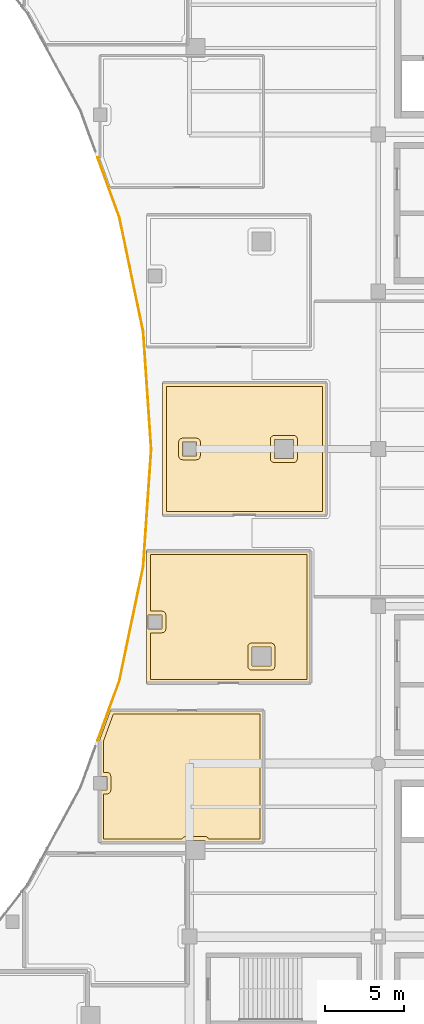
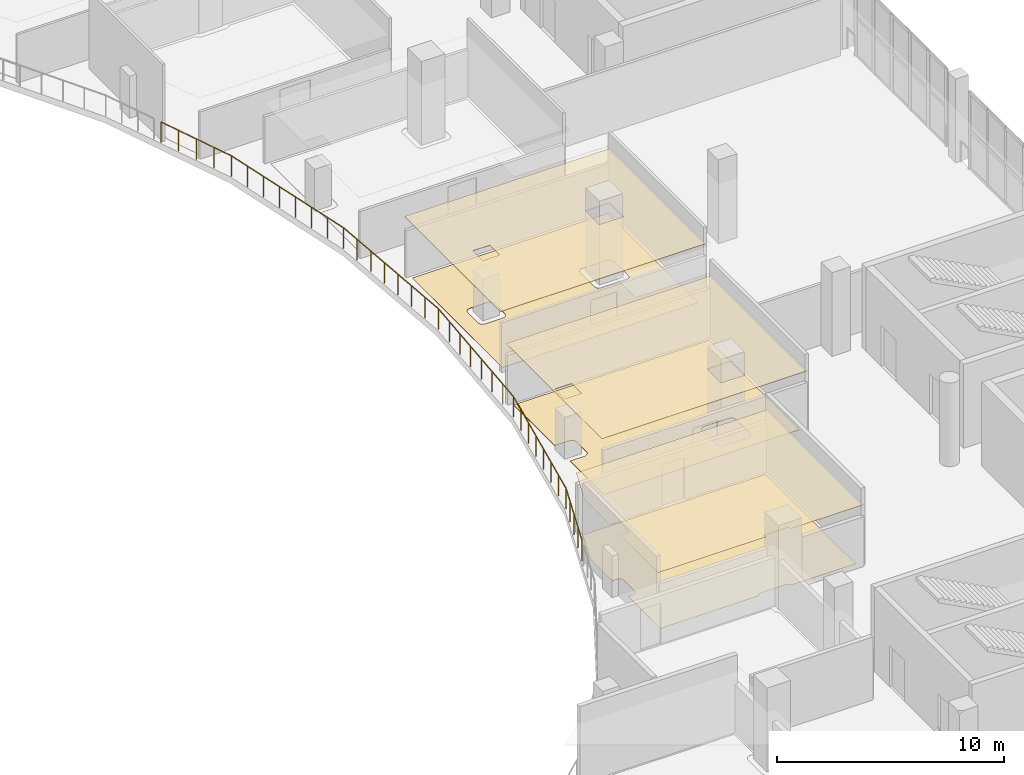
# One storey, part 87 of 90: 6 coverings, 1 railing.
"""IFC4 building model written with IfcOpenShell, lengths in metres."""

from ifc_helpers import new_model, si_unit, direction, frame, origin, origin_2d, place, context, subcontext, project, spatial, polyline, circle, outline, extrude, material, layer, layer_set, type_object, element, save


model = new_model("IFC4")

# Units and contexts
model_context = context("Model", 3, precision=1e-05, world=origin(), true_north=direction((0.0, 1.0)))
body_context = subcontext(model_context, "Body", "Model", "MODEL_VIEW")
ifc_project = project(units=[si_unit("LENGTHUNIT", "METRE"), si_unit("AREAUNIT", "SQUARE_METRE"), si_unit("VOLUMEUNIT", "CUBIC_METRE"), si_unit("PLANEANGLEUNIT", "RADIAN"), si_unit("MASSUNIT", "GRAM", prefix="KILO")], contexts=[model_context])

# Site, building, storey
site_placement = place(None, origin())
site = spatial("IfcSite", under=ifc_project, at=site_placement, CompositionType="ELEMENT")
building_placement = place(site_placement, origin())
building = spatial("IfcBuilding", under=site, at=building_placement, Name="Brinegate Civic Arena", CompositionType="ELEMENT")
storey_placement = place(building_placement, frame((0.0, 0.0, 14.699951171875)))
storey = spatial("IfcBuildingStorey", under=building, at=storey_placement, Name="L03", CompositionType="ELEMENT", Elevation=14.699951171875)

# Coverings
ifc_material_1 = material(Name="Acoustic perforated aluminium ceiling", Category="aluminium")
ifc_layer_1 = layer(ifc_material_1, 0.02490234375, Name="Acoustic perforated aluminium ceiling")
ifc_layer_set_1 = layer_set([ifc_layer_1], Name="Acoustic perforated aluminium ceiling")
covering_type_1 = type_object("IfcCoveringType", Name="CEILING-ACOUSTIC-25", PredefinedType="CEILING", material=ifc_layer_set_1)
covering_1_placement = place(storey_placement, frame((0.0, 0.0, 3.235107421875)))
element("IfcCovering", 1, at=covering_1_placement, inside=storey, type_object=covering_type_1, Name="Acoustic Ceiling L03-104", PredefinedType="CEILING", context=body_context, shape_type="SweptSolid", body=[
    extrude(outline(polyline([(151.69189453125, 55.534912109375), (151.694091796875, 55.533935546875), (151.696044921875, 55.532958984375), (151.697021484375, 55.532958984375), (151.698974609375, 55.531982421875), (151.700927734375, 55.530029296875), (151.701904296875, 55.529052734375), (151.702880859375, 55.528076171875), (151.705078125, 55.52587890625), (151.7060546875, 55.52392578125), (151.7060546875, 55.52294921875), (151.70703125, 55.52099609375), (151.7080078125, 55.51904296875), (151.7080078125, 55.51708984375), (151.7080078125, 55.514892578125), (151.7080078125, 47.114990234375), (151.7080078125, 47.113037109375), (151.7080078125, 47.111083984375), (151.70703125, 47.10888671875), (151.7060546875, 47.10693359375), (151.7060546875, 47.10595703125), (151.705078125, 47.10400390625), (151.702880859375, 47.10205078125), (151.701904296875, 47.10107421875), (151.700927734375, 47.10009765625), (151.698974609375, 47.097900390625), (151.697021484375, 47.096923828125), (151.696044921875, 47.096923828125), (151.694091796875, 47.095947265625), (151.69189453125, 47.094970703125), (151.68994140625, 47.094970703125), (151.68798828125, 47.094970703125), (141.2880859375, 47.094970703125), (141.285888671875, 47.094970703125), (141.283935546875, 47.094970703125), (141.281982421875, 47.095947265625), (141.280029296875, 47.096923828125), (141.279052734375, 47.096923828125), (141.277099609375, 47.097900390625), (141.27490234375, 47.10009765625), (141.27392578125, 47.10107421875), (141.27294921875, 47.10205078125), (141.27099609375, 47.10400390625), (141.27001953125, 47.10595703125), (141.27001953125, 47.10693359375), (141.26904296875, 47.10888671875), (141.26806640625, 47.111083984375), (141.26806640625, 47.113037109375), (141.26806640625, 47.114990234375), (141.26806640625, 55.514892578125), (141.26806640625, 55.51708984375), (141.26806640625, 55.51904296875), (141.26904296875, 55.52099609375), (141.27001953125, 55.52294921875), (141.27001953125, 55.52392578125), (141.27099609375, 55.52587890625), (141.27294921875, 55.528076171875), (141.27392578125, 55.529052734375), (141.27490234375, 55.530029296875), (141.277099609375, 55.531982421875), (141.279052734375, 55.532958984375), (141.280029296875, 55.532958984375), (141.281982421875, 55.533935546875), (141.283935546875, 55.534912109375), (141.285888671875, 55.534912109375), (141.2880859375, 55.534912109375), (151.68798828125, 55.534912109375), (151.68994140625, 55.534912109375), (151.69189453125, 55.534912109375)]), holes=[polyline([(141.3720703125, 51.43505859375), (141.3720703125, 50.56494140625), (142.241943359375, 50.56494140625), (142.241943359375, 51.43505859375), (141.3720703125, 51.43505859375)]), polyline([(147.958984375, 49.409912109375), (147.958984375, 48.18994140625), (149.178955078125, 48.18994140625), (149.178955078125, 49.409912109375), (147.958984375, 49.409912109375)])]), origin(), (0.0, 0.0, 1.0), 0.02490234375),
])
ifc_layer_2 = layer(ifc_material_1, 0.034912109375, Name="Acoustic perforated aluminium ceiling")
ifc_layer_set_2 = layer_set([ifc_layer_2], Name="Acoustic perforated aluminium ceiling")
covering_type_2 = type_object("IfcCoveringType", Name="CEILING-ACOUSTIC-35", PredefinedType="CEILING", material=ifc_layer_set_2)
covering_2_placement = place(storey_placement, frame((0.0, 0.0, 3.22509765625)))
element("IfcCovering", 2, at=covering_2_placement, inside=storey, type_object=covering_type_2, Name="Acoustic Ceiling L03-105", PredefinedType="CEILING", context=body_context, shape_type="SweptSolid", body=[
    extrude(outline(polyline([(152.7041015625, 66.219970703125), (152.7060546875, 66.218994140625), (152.7080078125, 66.218017578125), (152.708984375, 66.218017578125), (152.7109375, 66.217041015625), (152.712890625, 66.215087890625), (152.714111328125, 66.214111328125), (152.715087890625, 66.212890625), (152.717041015625, 66.2109375), (152.718017578125, 66.208984375), (152.718017578125, 66.2080078125), (152.718994140625, 66.2060546875), (152.719970703125, 66.2041015625), (152.719970703125, 66.201904296875), (152.719970703125, 66.199951171875), (152.719970703125, 57.800048828125), (152.719970703125, 57.798095703125), (152.719970703125, 57.7958984375), (152.718994140625, 57.7939453125), (152.718017578125, 57.7919921875), (152.718017578125, 57.791015625), (152.717041015625, 57.7890625), (152.715087890625, 57.787109375), (152.714111328125, 57.785888671875), (152.712890625, 57.784912109375), (152.7109375, 57.782958984375), (152.708984375, 57.781982421875), (152.7080078125, 57.781982421875), (152.7060546875, 57.781005859375), (152.7041015625, 57.780029296875), (152.701904296875, 57.780029296875), (152.699951171875, 57.780029296875), (142.300048828125, 57.780029296875), (142.298095703125, 57.780029296875), (142.2958984375, 57.780029296875), (142.2939453125, 57.781005859375), (142.2919921875, 57.781982421875), (142.291015625, 57.781982421875), (142.2890625, 57.782958984375), (142.287109375, 57.784912109375), (142.285888671875, 57.785888671875), (142.284912109375, 57.787109375), (142.282958984375, 57.7890625), (142.281982421875, 57.791015625), (142.281982421875, 57.7919921875), (142.281005859375, 57.7939453125), (142.280029296875, 57.7958984375), (142.280029296875, 57.798095703125), (142.280029296875, 57.800048828125), (142.280029296875, 66.199951171875), (142.280029296875, 66.201904296875), (142.280029296875, 66.2041015625), (142.281005859375, 66.2060546875), (142.281982421875, 66.2080078125), (142.281982421875, 66.208984375), (142.282958984375, 66.2109375), (142.284912109375, 66.212890625), (142.285888671875, 66.214111328125), (142.287109375, 66.215087890625), (142.2890625, 66.217041015625), (142.291015625, 66.218017578125), (142.2919921875, 66.218017578125), (142.2939453125, 66.218994140625), (142.2958984375, 66.219970703125), (142.298095703125, 66.219970703125), (142.300048828125, 66.219970703125), (152.699951171875, 66.219970703125), (152.701904296875, 66.219970703125), (152.7041015625, 66.219970703125)]), holes=[polyline([(143.56494140625, 62.43505859375), (143.56494140625, 61.56494140625), (144.43505859375, 61.56494140625), (144.43505859375, 62.43505859375), (143.56494140625, 62.43505859375)]), polyline([(149.389892578125, 62.610107421875), (149.389892578125, 61.389892578125), (150.610107421875, 61.389892578125), (150.610107421875, 62.610107421875), (149.389892578125, 62.610107421875)])]), origin(), (0.0, 0.0, 1.0), 0.034912109375),
])
ifc_layer_3 = layer(ifc_material_1, 0.01806640625, Name="Acoustic perforated aluminium ceiling")
ifc_layer_set_3 = layer_set([ifc_layer_3], Name="Acoustic perforated aluminium ceiling")
covering_type_3 = type_object("IfcCoveringType", Name="CEILING-MOISTURE-18", PredefinedType="CEILING", material=ifc_layer_set_3)
covering_3_placement = place(storey_placement, frame((0.0, 0.0, 3.241943359375)))
element("IfcCovering", 3, at=covering_3_placement, inside=storey, type_object=covering_type_3, Name="Acoustic Ceiling L03-103", PredefinedType="CEILING", context=body_context, shape_type="SweptSolid", body=[
    extrude(outline(polyline([(148.721923828125, 36.972900390625), (148.720947265625, 36.970947265625), (148.719970703125, 36.968994140625), (148.719970703125, 36.968017578125), (148.718994140625, 36.966064453125), (148.717041015625, 36.964111328125), (148.716064453125, 36.962890625), (148.715087890625, 36.9619140625), (148.712890625, 36.9599609375), (148.7109375, 36.958984375), (148.7099609375, 36.958984375), (148.7080078125, 36.9580078125), (148.7060546875, 36.95703125), (148.7041015625, 36.95703125), (148.701904296875, 36.95703125), (144.98291015625, 36.95703125), (144.98291015625, 37.110107421875), (143.762939453125, 37.110107421875), (143.762939453125, 36.95703125), (138.302001953125, 36.95703125), (138.300048828125, 36.95703125), (138.298095703125, 36.95703125), (138.2958984375, 36.9580078125), (138.2939453125, 36.958984375), (138.29296875, 36.958984375), (138.291015625, 36.9599609375), (138.2890625, 36.9619140625), (138.2880859375, 36.962890625), (138.287109375, 36.964111328125), (138.284912109375, 36.966064453125), (138.283935546875, 36.968017578125), (138.283935546875, 36.968994140625), (138.282958984375, 36.970947265625), (138.281982421875, 36.972900390625), (138.281982421875, 36.97509765625), (138.281982421875, 36.97705078125), (138.281982421875, 40.31494140625), (138.74609375, 40.31494140625), (138.74609375, 41.18505859375), (138.281982421875, 41.18505859375), (138.281982421875, 43.465087890625), (138.281982421875, 43.467041015625), (138.281982421875, 43.468017578125), (138.282958984375, 43.469970703125), (138.282958984375, 43.471923828125), (138.97802734375, 45.384033203125), (138.97900390625, 45.385986328125), (138.97998046875, 45.386962890625), (138.98095703125, 45.388916015625), (138.98193359375, 45.39111328125), (138.98388671875, 45.39208984375), (138.986083984375, 45.39306640625), (138.987060546875, 45.39404296875), (138.989013671875, 45.39501953125), (138.990966796875, 45.39599609375), (138.992919921875, 45.39697265625), (138.9951171875, 45.39697265625), (138.9970703125, 45.39697265625), (148.701904296875, 45.39697265625), (148.7041015625, 45.39697265625), (148.7060546875, 45.39697265625), (148.7080078125, 45.39599609375), (148.7099609375, 45.39501953125), (148.7109375, 45.39501953125), (148.712890625, 45.39404296875), (148.715087890625, 45.39208984375), (148.716064453125, 45.39111328125), (148.717041015625, 45.389892578125), (148.718994140625, 45.387939453125), (148.719970703125, 45.385986328125), (148.719970703125, 45.385009765625), (148.720947265625, 45.383056640625), (148.721923828125, 45.381103515625), (148.721923828125, 45.37890625), (148.721923828125, 45.376953125), (148.721923828125, 36.97705078125), (148.721923828125, 36.97509765625), (148.721923828125, 36.972900390625)])), origin(), (0.0, 0.0, 1.0), 0.01806640625),
])
ifc_material_2 = material(Name="Polished coral terrazzo flooring")
ifc_layer_4 = layer(ifc_material_2, 0.013916015625, Name="Polished coral terrazzo flooring")
ifc_layer_set_4 = layer_set([ifc_layer_4], Name="Polished coral terrazzo flooring")
covering_type_4 = type_object("IfcCoveringType", Name="FLOORING-ACOUSTIC-14", PredefinedType="FLOORING", material=ifc_layer_set_4)
covering_4_placement = place(storey_placement, origin())
element("IfcCovering", 4, at=covering_4_placement, inside=storey, type_object=covering_type_4, Name="Flooring L03-103", PredefinedType="FLOORING", context=body_context, shape_type="SweptSolid", body=[
    extrude(outline(polyline([(138.531982421875, 37.20703125), (138.531982421875, 40.06494140625), (138.74609375, 40.06494140625), (138.77099609375, 40.06591796875), (138.794921875, 40.070068359375), (138.819091796875, 40.075927734375), (138.842041015625, 40.083984375), (138.864013671875, 40.094970703125), (138.885009765625, 40.10693359375), (138.905029296875, 40.1220703125), (138.923095703125, 40.137939453125), (138.93896484375, 40.156005859375), (138.9541015625, 40.176025390625), (138.966064453125, 40.197021484375), (138.97705078125, 40.218994140625), (138.985107421875, 40.241943359375), (138.990966796875, 40.26611328125), (138.9951171875, 40.2900390625), (138.99609375, 40.31494140625), (138.99609375, 41.18505859375), (138.9951171875, 41.2099609375), (138.990966796875, 41.23388671875), (138.985107421875, 41.258056640625), (138.97705078125, 41.281005859375), (138.966064453125, 41.302978515625), (138.9541015625, 41.323974609375), (138.93896484375, 41.343994140625), (138.923095703125, 41.362060546875), (138.905029296875, 41.3779296875), (138.885009765625, 41.39306640625), (138.864013671875, 41.405029296875), (138.842041015625, 41.416015625), (138.819091796875, 41.424072265625), (138.794921875, 41.429931640625), (138.77099609375, 41.43408203125), (138.74609375, 41.43505859375), (138.531982421875, 41.43505859375), (138.531982421875, 43.424072265625), (139.157958984375, 45.14697265625), (148.471923828125, 45.14697265625), (148.471923828125, 37.20703125), (145.212890625, 37.20703125), (145.202880859375, 37.22802734375), (145.19091796875, 37.2490234375), (145.176025390625, 37.26904296875), (145.159912109375, 37.287109375), (145.14208984375, 37.302978515625), (145.1220703125, 37.318115234375), (145.10107421875, 37.330078125), (145.0791015625, 37.341064453125), (145.055908203125, 37.34912109375), (145.031982421875, 37.35498046875), (145.008056640625, 37.35888671875), (144.98291015625, 37.360107421875), (143.762939453125, 37.360107421875), (143.738037109375, 37.35888671875), (143.714111328125, 37.35498046875), (143.68994140625, 37.34912109375), (143.6669921875, 37.341064453125), (143.64501953125, 37.330078125), (143.6240234375, 37.318115234375), (143.60400390625, 37.302978515625), (143.5859375, 37.287109375), (143.570068359375, 37.26904296875), (143.554931640625, 37.2490234375), (143.54296875, 37.22802734375), (143.532958984375, 37.20703125), (138.531982421875, 37.20703125)])), origin(), (0.0, 0.0, 1.0), 0.01416015625),
])
covering_5_placement = place(storey_placement, origin())
element("IfcCovering", 5, at=covering_5_placement, inside=storey, type_object=covering_type_4, Name="Flooring L03-105", PredefinedType="FLOORING", context=body_context, shape_type="SweptSolid", body=[
    extrude(outline(polyline([(142.530029296875, 58.030029296875), (142.530029296875, 65.969970703125), (152.469970703125, 65.969970703125), (152.469970703125, 58.030029296875), (142.530029296875, 58.030029296875)]), holes=[polyline([(149.389892578125, 62.860107421875), (149.364990234375, 62.85888671875), (149.341064453125, 62.85498046875), (149.31689453125, 62.84912109375), (149.2939453125, 62.841064453125), (149.27197265625, 62.830078125), (149.2509765625, 62.818115234375), (149.23095703125, 62.802978515625), (149.212890625, 62.787109375), (149.197021484375, 62.76904296875), (149.181884765625, 62.7490234375), (149.169921875, 62.72802734375), (149.158935546875, 62.7060546875), (149.15087890625, 62.68310546875), (149.14501953125, 62.658935546875), (149.14111328125, 62.635009765625), (149.139892578125, 62.610107421875), (149.139892578125, 61.389892578125), (149.14111328125, 61.364990234375), (149.14501953125, 61.341064453125), (149.15087890625, 61.31689453125), (149.158935546875, 61.2939453125), (149.169921875, 61.27197265625), (149.181884765625, 61.2509765625), (149.197021484375, 61.23095703125), (149.212890625, 61.212890625), (149.23095703125, 61.197021484375), (149.2509765625, 61.181884765625), (149.27197265625, 61.169921875), (149.2939453125, 61.158935546875), (149.31689453125, 61.15087890625), (149.341064453125, 61.14501953125), (149.364990234375, 61.14111328125), (149.389892578125, 61.139892578125), (150.610107421875, 61.139892578125), (150.635009765625, 61.14111328125), (150.658935546875, 61.14501953125), (150.68310546875, 61.15087890625), (150.7060546875, 61.158935546875), (150.72802734375, 61.169921875), (150.7490234375, 61.181884765625), (150.76904296875, 61.197021484375), (150.787109375, 61.212890625), (150.802978515625, 61.23095703125), (150.818115234375, 61.2509765625), (150.830078125, 61.27197265625), (150.841064453125, 61.2939453125), (150.84912109375, 61.31689453125), (150.85498046875, 61.341064453125), (150.85888671875, 61.364990234375), (150.860107421875, 61.389892578125), (150.860107421875, 62.610107421875), (150.85888671875, 62.635009765625), (150.85498046875, 62.658935546875), (150.84912109375, 62.68310546875), (150.841064453125, 62.7060546875), (150.830078125, 62.72802734375), (150.818115234375, 62.7490234375), (150.802978515625, 62.76904296875), (150.787109375, 62.787109375), (150.76904296875, 62.802978515625), (150.7490234375, 62.818115234375), (150.72802734375, 62.830078125), (150.7060546875, 62.841064453125), (150.68310546875, 62.84912109375), (150.658935546875, 62.85498046875), (150.635009765625, 62.85888671875), (150.610107421875, 62.860107421875), (149.389892578125, 62.860107421875)]), polyline([(143.56494140625, 62.68505859375), (143.5400390625, 62.68408203125), (143.51611328125, 62.679931640625), (143.491943359375, 62.674072265625), (143.468994140625, 62.666015625), (143.447021484375, 62.655029296875), (143.426025390625, 62.64306640625), (143.406005859375, 62.6279296875), (143.387939453125, 62.612060546875), (143.3720703125, 62.593994140625), (143.35693359375, 62.573974609375), (143.344970703125, 62.552978515625), (143.333984375, 62.531005859375), (143.325927734375, 62.508056640625), (143.320068359375, 62.48388671875), (143.31591796875, 62.4599609375), (143.31494140625, 62.43505859375), (143.31494140625, 61.56494140625), (143.31591796875, 61.5400390625), (143.320068359375, 61.51611328125), (143.325927734375, 61.491943359375), (143.333984375, 61.468994140625), (143.344970703125, 61.447021484375), (143.35693359375, 61.426025390625), (143.3720703125, 61.406005859375), (143.387939453125, 61.387939453125), (143.406005859375, 61.3720703125), (143.426025390625, 61.35693359375), (143.447021484375, 61.344970703125), (143.468994140625, 61.333984375), (143.491943359375, 61.325927734375), (143.51611328125, 61.320068359375), (143.5400390625, 61.31591796875), (143.56494140625, 61.31494140625), (144.43505859375, 61.31494140625), (144.4599609375, 61.31591796875), (144.48388671875, 61.320068359375), (144.508056640625, 61.325927734375), (144.531005859375, 61.333984375), (144.552978515625, 61.344970703125), (144.573974609375, 61.35693359375), (144.593994140625, 61.3720703125), (144.612060546875, 61.387939453125), (144.6279296875, 61.406005859375), (144.64306640625, 61.426025390625), (144.655029296875, 61.447021484375), (144.666015625, 61.468994140625), (144.674072265625, 61.491943359375), (144.679931640625, 61.51611328125), (144.68408203125, 61.5400390625), (144.68505859375, 61.56494140625), (144.68505859375, 62.43505859375), (144.68408203125, 62.4599609375), (144.679931640625, 62.48388671875), (144.674072265625, 62.508056640625), (144.666015625, 62.531005859375), (144.655029296875, 62.552978515625), (144.64306640625, 62.573974609375), (144.6279296875, 62.593994140625), (144.612060546875, 62.612060546875), (144.593994140625, 62.6279296875), (144.573974609375, 62.64306640625), (144.552978515625, 62.655029296875), (144.531005859375, 62.666015625), (144.508056640625, 62.674072265625), (144.48388671875, 62.679931640625), (144.4599609375, 62.68408203125), (144.43505859375, 62.68505859375), (143.56494140625, 62.68505859375)])]), origin(), (0.0, 0.0, 1.0), 0.01416015625),
])
ifc_layer_5 = layer(ifc_material_2, 0.028076171875, Name="Polished coral terrazzo flooring")
ifc_layer_set_5 = layer_set([ifc_layer_5], Name="Polished coral terrazzo flooring")
covering_type_5 = type_object("IfcCoveringType", Name="FLOORING-TERRAZZO-28", PredefinedType="FLOORING", material=ifc_layer_set_5)
covering_6_placement = place(storey_placement, origin())
element("IfcCovering", 6, at=covering_6_placement, inside=storey, type_object=covering_type_5, Name="Flooring L03-104", PredefinedType="FLOORING", context=body_context, shape_type="SweptSolid", body=[
    extrude(outline(polyline([(141.51806640625, 55.284912109375), (151.4580078125, 55.284912109375), (151.4580078125, 47.344970703125), (141.51806640625, 47.344970703125), (141.51806640625, 50.31494140625), (142.241943359375, 50.31494140625), (142.26708984375, 50.31591796875), (142.291015625, 50.320068359375), (142.31494140625, 50.325927734375), (142.337890625, 50.333984375), (142.360107421875, 50.344970703125), (142.381103515625, 50.35693359375), (142.40087890625, 50.3720703125), (142.4189453125, 50.387939453125), (142.43505859375, 50.406005859375), (142.449951171875, 50.426025390625), (142.4619140625, 50.447021484375), (142.472900390625, 50.468994140625), (142.48095703125, 50.491943359375), (142.487060546875, 50.51611328125), (142.490966796875, 50.5400390625), (142.491943359375, 50.56494140625), (142.491943359375, 51.43505859375), (142.490966796875, 51.4599609375), (142.487060546875, 51.48388671875), (142.48095703125, 51.508056640625), (142.472900390625, 51.531005859375), (142.4619140625, 51.552978515625), (142.449951171875, 51.573974609375), (142.43505859375, 51.593994140625), (142.4189453125, 51.612060546875), (142.40087890625, 51.6279296875), (142.381103515625, 51.64306640625), (142.360107421875, 51.655029296875), (142.337890625, 51.666015625), (142.31494140625, 51.674072265625), (142.291015625, 51.679931640625), (142.26708984375, 51.68408203125), (142.241943359375, 51.68505859375), (141.51806640625, 51.68505859375), (141.51806640625, 55.284912109375)]), holes=[polyline([(147.958984375, 49.659912109375), (147.93408203125, 49.658935546875), (147.909912109375, 49.655029296875), (147.885986328125, 49.64892578125), (147.863037109375, 49.64111328125), (147.841064453125, 49.6298828125), (147.820068359375, 49.617919921875), (147.800048828125, 49.60302734375), (147.781982421875, 49.5869140625), (147.76611328125, 49.569091796875), (147.7509765625, 49.549072265625), (147.739013671875, 49.528076171875), (147.72802734375, 49.506103515625), (147.719970703125, 49.48291015625), (147.714111328125, 49.458984375), (147.7099609375, 49.43505859375), (147.708984375, 49.409912109375), (147.708984375, 48.18994140625), (147.7099609375, 48.1650390625), (147.714111328125, 48.14111328125), (147.719970703125, 48.116943359375), (147.72802734375, 48.093994140625), (147.739013671875, 48.072021484375), (147.7509765625, 48.051025390625), (147.76611328125, 48.031005859375), (147.781982421875, 48.012939453125), (147.800048828125, 47.9970703125), (147.820068359375, 47.98193359375), (147.841064453125, 47.969970703125), (147.863037109375, 47.958984375), (147.885986328125, 47.950927734375), (147.909912109375, 47.945068359375), (147.93408203125, 47.94091796875), (147.958984375, 47.93994140625), (149.178955078125, 47.93994140625), (149.2041015625, 47.94091796875), (149.22802734375, 47.945068359375), (149.251953125, 47.950927734375), (149.27490234375, 47.958984375), (149.297119140625, 47.969970703125), (149.318115234375, 47.98193359375), (149.337890625, 47.9970703125), (149.35595703125, 48.012939453125), (149.3720703125, 48.031005859375), (149.386962890625, 48.051025390625), (149.39892578125, 48.072021484375), (149.409912109375, 48.093994140625), (149.41796875, 48.116943359375), (149.424072265625, 48.14111328125), (149.427978515625, 48.1650390625), (149.428955078125, 48.18994140625), (149.428955078125, 49.409912109375), (149.427978515625, 49.43505859375), (149.424072265625, 49.458984375), (149.41796875, 49.48291015625), (149.409912109375, 49.506103515625), (149.39892578125, 49.528076171875), (149.386962890625, 49.549072265625), (149.3720703125, 49.569091796875), (149.35595703125, 49.5869140625), (149.337890625, 49.60302734375), (149.318115234375, 49.617919921875), (149.297119140625, 49.6298828125), (149.27490234375, 49.64111328125), (149.251953125, 49.64892578125), (149.22802734375, 49.655029296875), (149.2041015625, 49.658935546875), (149.178955078125, 49.659912109375), (147.958984375, 49.659912109375)])]), origin(), (0.0, 0.0, 1.0), 0.028076171875),
])

# Railing
ifc_material_3 = material(Name="Architectural stainless steel balustrade", Category="steel")
railing_type = type_object("IfcRailingType", Name="RAIL-VOID-BALUSTRADE-1120", PredefinedType="BALUSTRADE", material=ifc_material_3)
railing_placement = place(storey_placement, frame((138.1640625, 43.465087890625, 0.0)))
element("IfcRailing", 7, at=railing_placement, inside=storey, type_object=railing_type, Name="Deck Edge Balustrade L03-302", PredefinedType="BALUSTRADE", context=body_context, shape_type="SweptSolid", body=[
    extrude(circle(Radius=0.02392578125, at=origin_2d()), frame((0.00048828125, 0.00146484375, 1.09619140625), z_axis=(0.341433059103, 0.939906094326, 0.0), x_axis=(-0.939906094326, 0.341433059103, 0.0)), (0.0, 0.0, 1.0), 4.044189453125),
    extrude(circle(Radius=0.02392578125, at=origin_2d()), frame((1.382080078125, 3.805419921875, 1.09619140625), z_axis=(0.204438642171, 0.97887938051, 0.0), x_axis=(-0.97887938051, 0.204438642171, 0.0)), (0.0, 0.0, 1.0), 7.4033203125),
    extrude(circle(Radius=0.02392578125, at=origin_2d()), frame((2.89599609375, 11.055419921875, 1.09619140625), z_axis=(0.068060740111, 0.997681179363, 0.0), x_axis=(-0.997681179363, 0.068060740111, 0.0)), (0.0, 0.0, 1.0), 7.490478515625),
    extrude(circle(Radius=0.02392578125, at=origin_2d()), frame((3.406005859375, 18.531494140625, 1.09619140625), z_axis=(-0.067924396165, 0.997690471241, 0.0), x_axis=(-0.997690471241, -0.067924396165, 0.0)), (0.0, 0.0, 1.0), 7.4912109375),
    extrude(circle(Radius=0.02392578125, at=origin_2d()), frame((2.896728515625, 26.00830078125, 1.09619140625), z_axis=(-0.204180702047, 0.978933215757, 0.0), x_axis=(-0.978933215757, -0.204180702047, 0.0)), (0.0, 0.0, 1.0), 7.402099609375),
    extrude(circle(Radius=0.02392578125, at=origin_2d()), frame((1.384521484375, 33.25732421875, 1.09619140625), z_axis=(-0.341332395648, 0.939942655528, 0.0), x_axis=(-0.939942655528, -0.341332395648, 0.0)), (0.0, 0.0, 1.0), 4.0546875),
    extrude(circle(Radius=0.02099609375, at=origin_2d()), origin(), (0.0, 0.0, 1.0), 1.070068359375),
    extrude(circle(Radius=0.02099609375, at=origin_2d()), frame((0.345458984375, 0.950927734375, 0.0)), (0.0, 0.0, 1.0), 1.070068359375),
    extrude(circle(Radius=0.02099609375, at=origin_2d()), frame((0.69091796875, 1.90185546875, 0.0)), (0.0, 0.0, 1.0), 1.070068359375),
    extrude(circle(Radius=0.02099609375, at=origin_2d()), frame((1.036376953125, 2.85302734375, 0.0)), (0.0, 0.0, 1.0), 1.070068359375),
    extrude(circle(Radius=0.02099609375, at=origin_2d()), frame((1.3818359375, 3.803955078125, 0.0)), (0.0, 0.0, 1.0), 1.070068359375),
    extrude(circle(Radius=0.02099609375, at=origin_2d()), frame((1.59814453125, 4.839599609375, 0.0)), (0.0, 0.0, 1.0), 1.070068359375),
    extrude(circle(Radius=0.02099609375, at=origin_2d()), frame((1.814453125, 5.87548828125, 0.0)), (0.0, 0.0, 1.0), 1.070068359375),
    extrude(circle(Radius=0.02099609375, at=origin_2d()), frame((2.03076171875, 6.9111328125, 0.0)), (0.0, 0.0, 1.0), 1.070068359375),
    extrude(circle(Radius=0.02099609375, at=origin_2d()), frame((2.2470703125, 7.94677734375, 0.0)), (0.0, 0.0, 1.0), 1.070068359375),
    extrude(circle(Radius=0.02099609375, at=origin_2d()), frame((2.46337890625, 8.982421875, 0.0)), (0.0, 0.0, 1.0), 1.070068359375),
    extrude(circle(Radius=0.02099609375, at=origin_2d()), frame((2.6796875, 10.018310546875, 0.0)), (0.0, 0.0, 1.0), 1.070068359375),
    extrude(circle(Radius=0.02099609375, at=origin_2d()), frame((2.89599609375, 11.053955078125, 0.0)), (0.0, 0.0, 1.0), 1.070068359375),
    extrude(circle(Radius=0.02099609375, at=origin_2d()), frame((2.96875, 12.1220703125, 0.0)), (0.0, 0.0, 1.0), 1.070068359375),
    extrude(circle(Radius=0.02099609375, at=origin_2d()), frame((3.041748046875, 13.18994140625, 0.0)), (0.0, 0.0, 1.0), 1.070068359375),
    extrude(circle(Radius=0.02099609375, at=origin_2d()), frame((3.114501953125, 14.258056640625, 0.0)), (0.0, 0.0, 1.0), 1.070068359375),
    extrude(circle(Radius=0.02099609375, at=origin_2d()), frame((3.1875, 15.325927734375, 0.0)), (0.0, 0.0, 1.0), 1.070068359375),
    extrude(circle(Radius=0.02099609375, at=origin_2d()), frame((3.26025390625, 16.39404296875, 0.0)), (0.0, 0.0, 1.0), 1.070068359375),
    extrude(circle(Radius=0.02099609375, at=origin_2d()), frame((3.333251953125, 17.4619140625, 0.0)), (0.0, 0.0, 1.0), 1.070068359375),
    extrude(circle(Radius=0.02099609375, at=origin_2d()), frame((3.406005859375, 18.530029296875, 0.0)), (0.0, 0.0, 1.0), 1.070068359375),
    extrude(circle(Radius=0.02099609375, at=origin_2d()), frame((3.333251953125, 19.59814453125, 0.0)), (0.0, 0.0, 1.0), 1.070068359375),
    extrude(circle(Radius=0.02099609375, at=origin_2d()), frame((3.260498046875, 20.666259765625, 0.0)), (0.0, 0.0, 1.0), 1.070068359375),
    extrude(circle(Radius=0.02099609375, at=origin_2d()), frame((3.187744140625, 21.734375, 0.0)), (0.0, 0.0, 1.0), 1.070068359375),
    extrude(circle(Radius=0.02099609375, at=origin_2d()), frame((3.115234375, 22.802490234375, 0.0)), (0.0, 0.0, 1.0), 1.070068359375),
    extrude(circle(Radius=0.02099609375, at=origin_2d()), frame((3.04248046875, 23.87060546875, 0.0)), (0.0, 0.0, 1.0), 1.070068359375),
    extrude(circle(Radius=0.02099609375, at=origin_2d()), frame((2.9697265625, 24.938720703125, 0.0)), (0.0, 0.0, 1.0), 1.070068359375),
    extrude(circle(Radius=0.02099609375, at=origin_2d()), frame((2.89697265625, 26.0068359375, 0.0)), (0.0, 0.0, 1.0), 1.070068359375),
    extrude(circle(Radius=0.02099609375, at=origin_2d()), frame((2.680908203125, 27.04248046875, 0.0)), (0.0, 0.0, 1.0), 1.070068359375),
    extrude(circle(Radius=0.02099609375, at=origin_2d()), frame((2.465087890625, 28.077880859375, 0.0)), (0.0, 0.0, 1.0), 1.070068359375),
    extrude(circle(Radius=0.02099609375, at=origin_2d()), frame((2.2490234375, 29.113525390625, 0.0)), (0.0, 0.0, 1.0), 1.070068359375),
    extrude(circle(Radius=0.02099609375, at=origin_2d()), frame((2.032958984375, 30.149169921875, 0.0)), (0.0, 0.0, 1.0), 1.070068359375),
    extrude(circle(Radius=0.02099609375, at=origin_2d()), frame((1.81689453125, 31.184814453125, 0.0)), (0.0, 0.0, 1.0), 1.070068359375),
    extrude(circle(Radius=0.02099609375, at=origin_2d()), frame((1.60107421875, 32.22021484375, 0.0)), (0.0, 0.0, 1.0), 1.070068359375),
    extrude(circle(Radius=0.02099609375, at=origin_2d()), frame((1.385009765625, 33.255859375, 0.0)), (0.0, 0.0, 1.0), 1.070068359375),
    extrude(circle(Radius=0.02099609375, at=origin_2d()), frame((1.038818359375, 34.20947265625, 0.0)), (0.0, 0.0, 1.0), 1.070068359375),
    extrude(circle(Radius=0.02099609375, at=origin_2d()), frame((0.6923828125, 35.162841796875, 0.0)), (0.0, 0.0, 1.0), 1.070068359375),
    extrude(circle(Radius=0.02099609375, at=origin_2d()), frame((0.34619140625, 36.1162109375, 0.0)), (0.0, 0.0, 1.0), 1.070068359375),
    extrude(circle(Radius=0.02099609375, at=origin_2d()), frame((0.0, 37.06982421875, 0.0)), (0.0, 0.0, 1.0), 1.070068359375),
])

save(model, "model.ifc")
